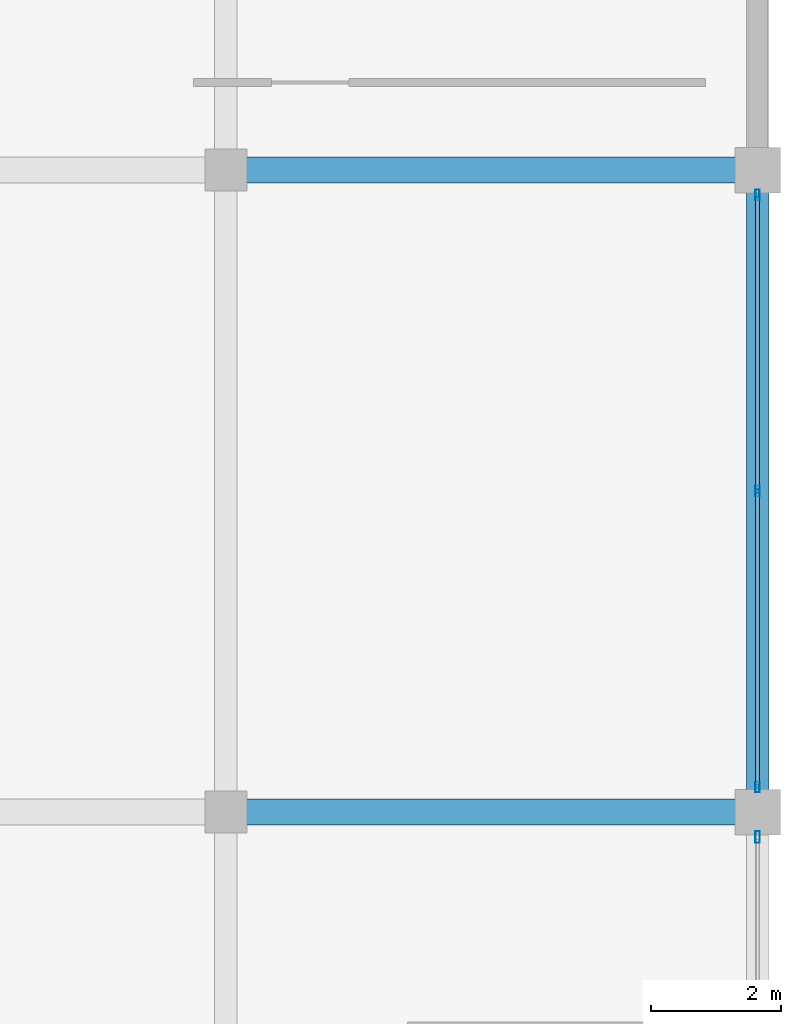
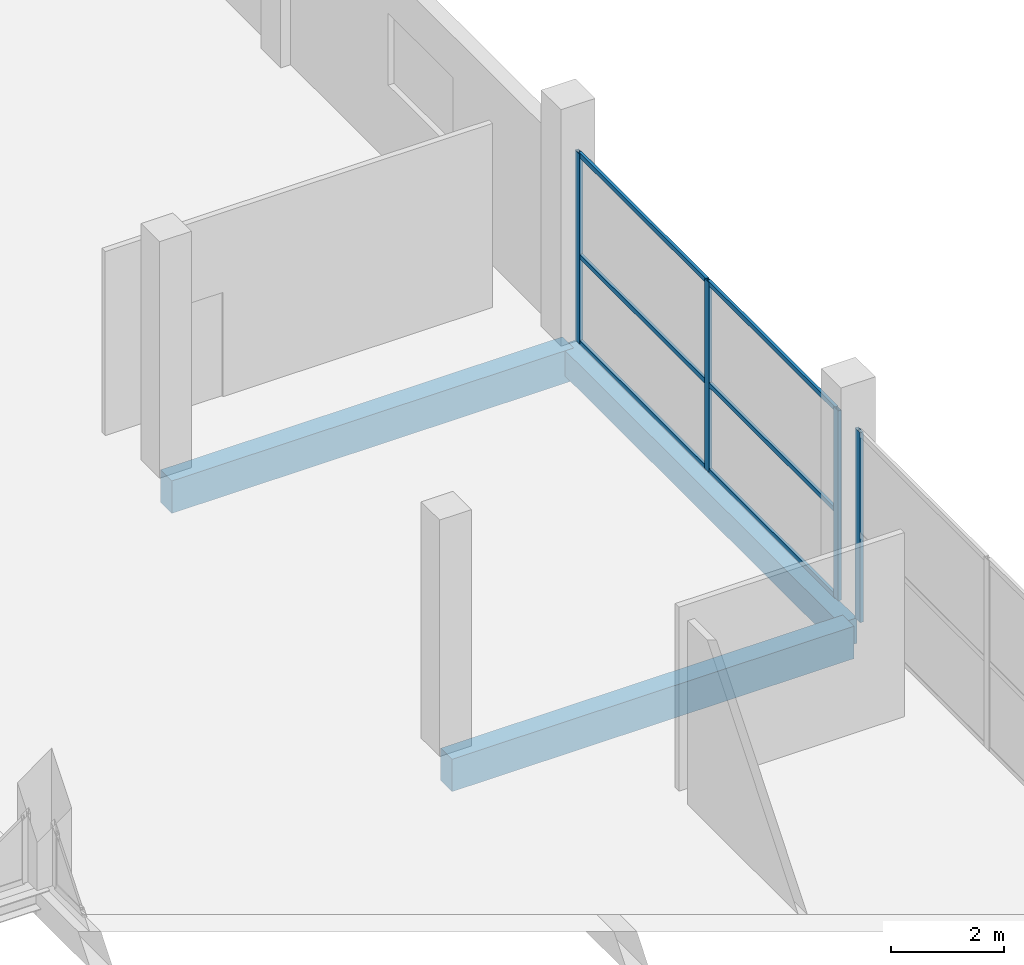
# One storey, part 39 of 67: 10 members, 3 beams, 2 elements without a shape of their own.
"""IFC4 building model written with IfcOpenShell, lengths in metres."""

from ifc_helpers import new_model, si_unit, direction, frame, origin, origin_2d, place, context, subcontext, project, spatial, rectangle, hollow_rectangle, extrude, material, layer, layer_set, material_profile, profile_set, type_object, element, aggregate, save


model = new_model("IFC4")

# Units and contexts
model_context = context("Model", 3, precision=1e-05, world=origin(), true_north=direction((0.0, 1.0)))
body_context = subcontext(model_context, "Body", "Model", "MODEL_VIEW")
ifc_project = project(units=[si_unit("LENGTHUNIT", "METRE"), si_unit("AREAUNIT", "SQUARE_METRE"), si_unit("VOLUMEUNIT", "CUBIC_METRE"), si_unit("PLANEANGLEUNIT", "RADIAN"), si_unit("MASSUNIT", "GRAM", prefix="KILO")], contexts=[model_context])

# Site, building, storey
site_placement = place(None, origin())
site = spatial("IfcSite", under=ifc_project, at=site_placement, CompositionType="ELEMENT")
building_placement = place(site_placement, origin())
building = spatial("IfcBuilding", under=site, at=building_placement, Name="Sillaruma Civic Art Gallery", CompositionType="ELEMENT")
storey_placement = place(building_placement, frame((0.0, 0.0, 46.919921875)))
storey = spatial("IfcBuildingStorey", under=building, at=storey_placement, Name="L09", CompositionType="ELEMENT", Elevation=46.919921875)

# Beams
ifc_material_1 = material(Name="Concrete H35 (35 MPa)", Category="concrete")
ifc_material_profile_1 = material_profile(ifc_material_1, rectangle(XDim=0.39990234375, YDim=0.699951171875, at=origin_2d()), Name="RCB400x700")
ifc_profile_set_1 = profile_set([ifc_material_profile_1], Name="Concrete H35 (35 MPa)")
beam_type_1 = type_object("IfcBeamType", Name="BM-BEAM-RCB400x700", PredefinedType="BEAM", material=ifc_profile_set_1)
for number, where, z_axis, x_axis, name in (
    (1, (106.199951171875, 69.300048828125, -0.599853515625), (1.0, 0.0, 0.0), (0.0, 1.0, 0.0), "Beam BM-04 (L08:8:M-N)"),
    (2, (106.199951171875, 79.199951171875, -0.599853515625), (1.0, 0.0, 0.0), (0.0, 1.0, 0.0), "Beam BM-04 (L08:9:M-N)"),
):
    element("IfcBeam", number, at=place(storey_placement, frame(where, z_axis=z_axis, x_axis=x_axis)), inside=storey, type_object=beam_type_1, Name=name, PredefinedType="BEAM", context=body_context, shape_type="SweptSolid", body=[
        extrude(rectangle(XDim=0.39990234375, YDim=0.699951171875, at=origin_2d()), origin(), (0.0, 0.0, 1.0), 8.199951171875),
    ])
ifc_material_profile_2 = material_profile(ifc_material_1, rectangle(XDim=0.35009765625, YDim=0.550048828125, at=origin_2d()), Name="RCB350x550")
ifc_profile_set_2 = profile_set([ifc_material_profile_2], Name="Concrete H35 (35 MPa)")
beam_type_2 = type_object("IfcBeamType", Name="BM-SPANDREL-RCB350x550", PredefinedType="SPANDREL", material=ifc_profile_set_2)
beam_placement = place(storey_placement, frame((114.39990234375, 69.300048828125, -0.52490234375), z_axis=(0.0, 1.0, 0.0), x_axis=(-1.0, 0.0, 0.0)))
element("IfcBeam", 3, at=beam_placement, inside=storey, type_object=beam_type_2, Name="Beam BS-04 (L08:N:8-9)", PredefinedType="SPANDREL", context=body_context, shape_type="SweptSolid", body=[
    extrude(rectangle(XDim=0.35009765625, YDim=0.550048828125, at=origin_2d()), origin(), (0.0, 0.0, 1.0), 9.89990234375),
])

# Curtain wall, members
ifc_material_2 = material(Name="Thermally Broken Extruded Aluminium 6063-T6", Category="aluminium")
ifc_layer_1 = layer(ifc_material_2, 0.159912109375, Name="Thermally Broken Extruded Aluminium 6063-T6")
ifc_layer_set_1 = layer_set([ifc_layer_1], Name="Thermally Broken Extruded Aluminium 6063-T6")
curtain_wall_type_1 = type_object("IfcCurtainWallType", Name="CW-UNI-73", PredefinedType="NOTDEFINED", material=ifc_layer_set_1)
curtain_wall_1_placement = place(storey_placement, origin())
curtain_wall_1 = element("IfcCurtainWall", 4, at=curtain_wall_1_placement, inside=storey, type_object=curtain_wall_type_1, Name="Unitised Curtain Wall CW-73 (CW-L09-EBE-6)", PredefinedType="NOTDEFINED")
ifc_material_profile_3 = material_profile(ifc_material_2, hollow_rectangle(XDim=0.06494140625, YDim=0.159912109375, WallThickness=0.00390625, at=origin_2d()), Name="CWM65x160")
ifc_profile_set_3 = profile_set([ifc_material_profile_3], Name="Thermally Broken Extruded Aluminium 6063-T6")
member_type_1 = type_object("IfcMemberType", Name="MEM-MUL-CWM65x160", PredefinedType="MULLION", material=ifc_profile_set_3)
member_1_placement = place(storey_placement, frame((114.39990234375, 69.6826171875, 0.0), z_axis=(0.0, 0.0, 1.0), x_axis=(-1.0, 0.0, 0.0)))
member_1 = element("IfcMember", 5, at=member_1_placement, type_object=member_type_1, Name="CW-73 mullion 1", PredefinedType="MULLION", context=body_context, shape_type="SweptSolid", body=[
    extrude(hollow_rectangle(XDim=0.06494140625, YDim=0.159912109375, WallThickness=0.00390625, at=origin_2d()), origin(), (0.0, 0.0, 1.0), 4.10009765625),
])
member_2_placement = place(storey_placement, frame((114.39990234375, 74.25, 0.0), z_axis=(0.0, 0.0, 1.0), x_axis=(-1.0, 0.0, 0.0)))
member_2 = element("IfcMember", 6, at=member_2_placement, type_object=member_type_1, Name="CW-73 mullion 2", PredefinedType="MULLION", context=body_context, shape_type="SweptSolid", body=[
    extrude(hollow_rectangle(XDim=0.06494140625, YDim=0.159912109375, WallThickness=0.00390625, at=origin_2d()), origin(), (0.0, 0.0, 1.0), 4.10009765625),
])
member_3_placement = place(storey_placement, frame((114.39990234375, 78.8173828125, 0.0), z_axis=(0.0, 0.0, 1.0), x_axis=(-1.0, 0.0, 0.0)))
member_3 = element("IfcMember", 7, at=member_3_placement, type_object=member_type_1, Name="CW-73 mullion 3", PredefinedType="MULLION", context=body_context, shape_type="SweptSolid", body=[
    extrude(hollow_rectangle(XDim=0.06494140625, YDim=0.159912109375, WallThickness=0.00390625, at=origin_2d()), origin(), (0.0, 0.0, 1.0), 4.10009765625),
])

# Curtain wall, member
ifc_layer_2 = layer(ifc_material_2, 0.179931640625, Name="Thermally Broken Extruded Aluminium 6063-T6")
ifc_layer_set_2 = layer_set([ifc_layer_2], Name="Thermally Broken Extruded Aluminium 6063-T6")
curtain_wall_type_2 = type_object("IfcCurtainWallType", Name="CW-UNI-72", PredefinedType="NOTDEFINED", material=ifc_layer_set_2)
curtain_wall_2_placement = place(storey_placement, origin())
curtain_wall_2 = element("IfcCurtainWall", 8, at=curtain_wall_2_placement, inside=storey, type_object=curtain_wall_type_2, Name="Unitised Curtain Wall CW-72 (CW-L09-EBE-5)", PredefinedType="NOTDEFINED")
ifc_material_profile_4 = material_profile(ifc_material_2, hollow_rectangle(XDim=0.070068359375, YDim=0.179931640625, WallThickness=0.00390625, at=origin_2d()), Name="CWM70x180")
ifc_profile_set_4 = profile_set([ifc_material_profile_4], Name="Thermally Broken Extruded Aluminium 6063-T6")
member_type_2 = type_object("IfcMemberType", Name="MEM-MUL-CWM70x180", PredefinedType="MULLION", material=ifc_profile_set_4)
member_4_placement = place(storey_placement, frame((114.39990234375, 68.9150390625, 0.0), z_axis=(0.0, 0.0, 1.0), x_axis=(-1.0, 0.0, 0.0)))
member_4 = element("IfcMember", 9, at=member_4_placement, type_object=member_type_2, Name="CW-72 mullion 3", PredefinedType="MULLION", context=body_context, shape_type="SweptSolid", body=[
    extrude(hollow_rectangle(XDim=0.070068359375, YDim=0.179931640625, WallThickness=0.00390625, at=origin_2d()), origin(), (0.0, 0.0, 1.0), 4.10009765625),
])
aggregate(curtain_wall_2, [member_4])

# Member
ifc_material_profile_5 = material_profile(ifc_material_2, hollow_rectangle(XDim=0.06005859375, YDim=0.10009765625, WallThickness=0.003173828125, at=origin_2d()), Name="CWT60x100")
ifc_profile_set_5 = profile_set([ifc_material_profile_5], Name="Thermally Broken Extruded Aluminium 6063-T6")
member_type_3 = type_object("IfcMemberType", Name="MEM-TRN-CWT60x100", PredefinedType="USERDEFINED", material=ifc_profile_set_5)
member_5_placement = place(storey_placement, frame((114.39990234375, 69.715087890625, 0.030029296875), z_axis=(0.0, 1.0, 0.0), x_axis=(-1.0, 0.0, 0.0)))
member_5 = element("IfcMember", 10, at=member_5_placement, type_object=member_type_3, Name="CW-73 transom 1.1", ObjectType="TRANSOM", PredefinedType="USERDEFINED", context=body_context, shape_type="SweptSolid", body=[
    extrude(hollow_rectangle(XDim=0.06005859375, YDim=0.10009765625, WallThickness=0.003173828125, at=origin_2d()), origin(), (0.0, 0.0, 1.0), 4.50244140625),
])

member_6_placement = place(storey_placement, frame((114.39990234375, 69.715087890625, 1.885986328125), z_axis=(0.0, 1.0, 0.0), x_axis=(-1.0, 0.0, 0.0)))
member_6 = element("IfcMember", 11, at=member_6_placement, type_object=member_type_3, Name="CW-73 transom 1.2", ObjectType="TRANSOM", PredefinedType="USERDEFINED", context=body_context, shape_type="SweptSolid", body=[
    extrude(hollow_rectangle(XDim=0.06005859375, YDim=0.10009765625, WallThickness=0.003173828125, at=origin_2d()), origin(), (0.0, 0.0, 1.0), 4.50244140625),
])

member_7_placement = place(storey_placement, frame((114.39990234375, 69.715087890625, 4.070068359375), z_axis=(0.0, 1.0, 0.0), x_axis=(-1.0, 0.0, 0.0)))
member_7 = element("IfcMember", 12, at=member_7_placement, type_object=member_type_3, Name="CW-73 transom 1.3", ObjectType="TRANSOM", PredefinedType="USERDEFINED", context=body_context, shape_type="SweptSolid", body=[
    extrude(hollow_rectangle(XDim=0.06005859375, YDim=0.10009765625, WallThickness=0.003173828125, at=origin_2d()), origin(), (0.0, 0.0, 1.0), 4.50244140625),
])

member_8_placement = place(storey_placement, frame((114.39990234375, 74.282470703125, 0.030029296875), z_axis=(0.0, 1.0, 0.0), x_axis=(-1.0, 0.0, 0.0)))
member_8 = element("IfcMember", 13, at=member_8_placement, type_object=member_type_3, Name="CW-73 transom 2.1", ObjectType="TRANSOM", PredefinedType="USERDEFINED", context=body_context, shape_type="SweptSolid", body=[
    extrude(hollow_rectangle(XDim=0.06005859375, YDim=0.10009765625, WallThickness=0.003173828125, at=origin_2d()), origin(), (0.0, 0.0, 1.0), 4.50244140625),
])

member_9_placement = place(storey_placement, frame((114.39990234375, 74.282470703125, 1.885986328125), z_axis=(0.0, 1.0, 0.0), x_axis=(-1.0, 0.0, 0.0)))
member_9 = element("IfcMember", 14, at=member_9_placement, type_object=member_type_3, Name="CW-73 transom 2.2", ObjectType="TRANSOM", PredefinedType="USERDEFINED", context=body_context, shape_type="SweptSolid", body=[
    extrude(hollow_rectangle(XDim=0.06005859375, YDim=0.10009765625, WallThickness=0.003173828125, at=origin_2d()), origin(), (0.0, 0.0, 1.0), 4.50244140625),
])

member_10_placement = place(storey_placement, frame((114.39990234375, 74.282470703125, 4.070068359375), z_axis=(0.0, 1.0, 0.0), x_axis=(-1.0, 0.0, 0.0)))
member_10 = element("IfcMember", 15, at=member_10_placement, type_object=member_type_3, Name="CW-73 transom 2.3", ObjectType="TRANSOM", PredefinedType="USERDEFINED", context=body_context, shape_type="SweptSolid", body=[
    extrude(hollow_rectangle(XDim=0.06005859375, YDim=0.10009765625, WallThickness=0.003173828125, at=origin_2d()), origin(), (0.0, 0.0, 1.0), 4.50244140625),
])

aggregate(curtain_wall_1, [member_1, member_2, member_3, member_5, member_6, member_7, member_8, member_9, member_10])

save(model, "model.ifc")
